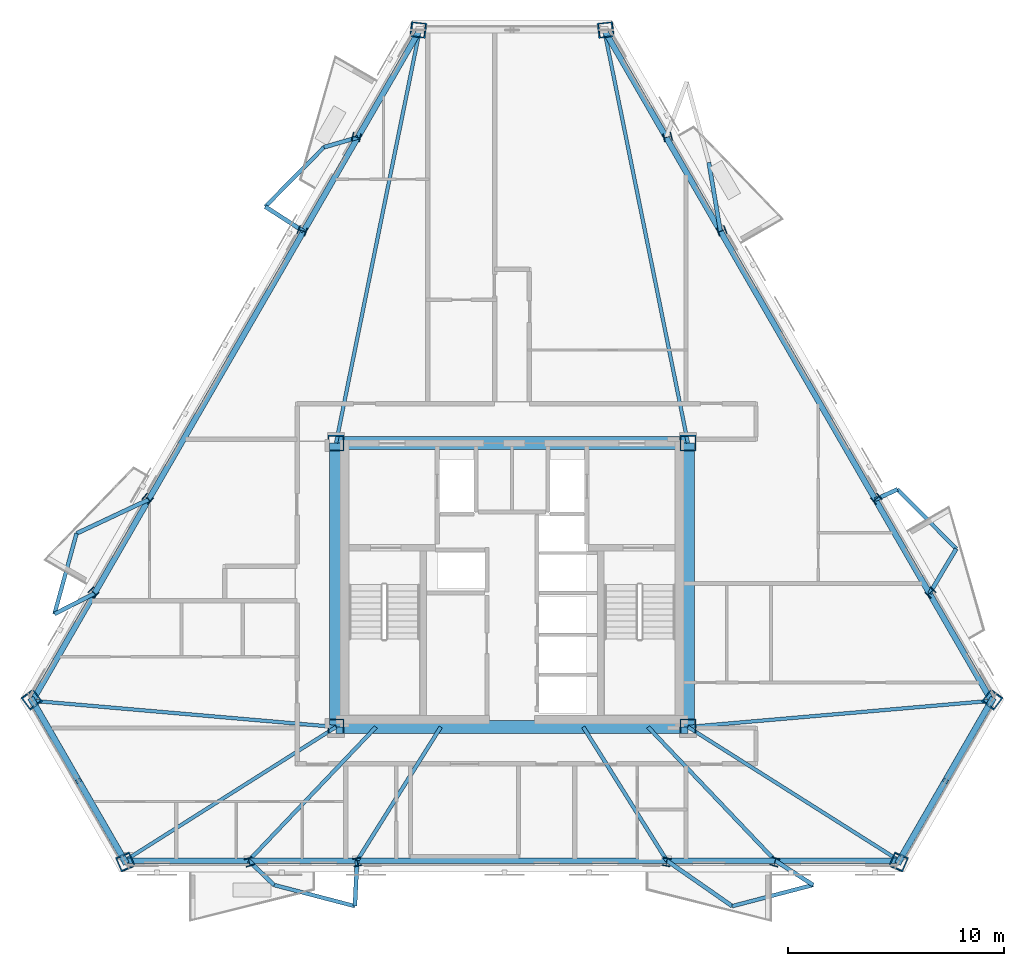
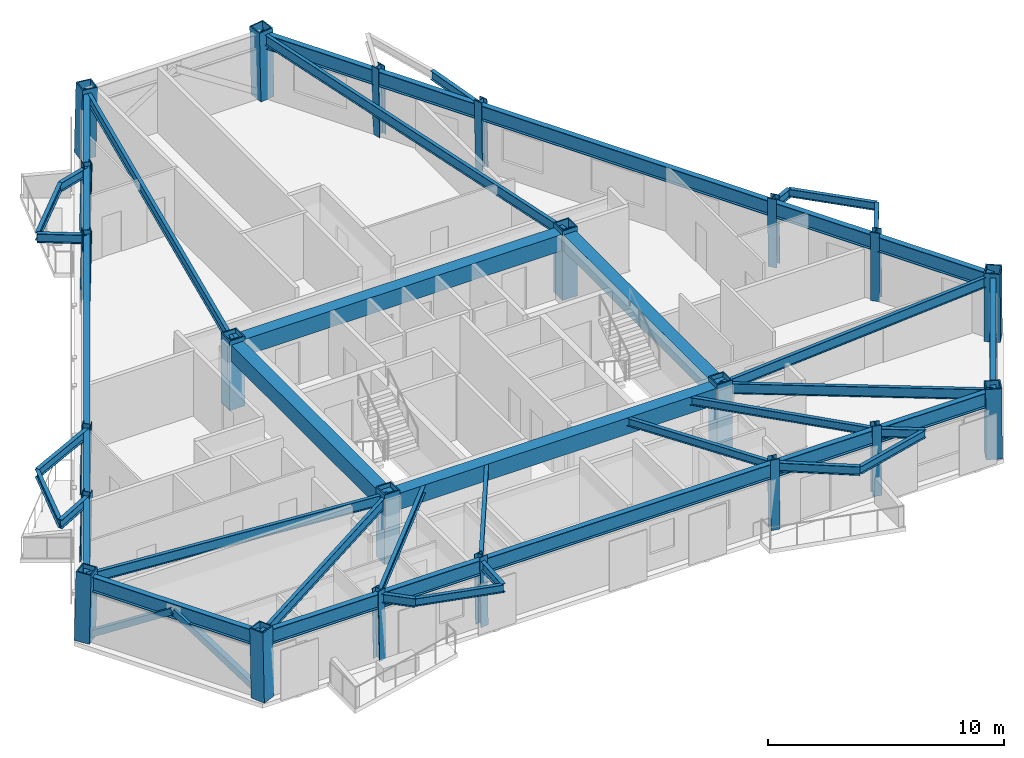
# One storey, part 1 of 9: 47 beams, 22 columns, 4 members.
"""IFC4 building model written with IfcOpenShell, lengths in metres."""

import ifcopenshell
import ifcopenshell.guid

model = None  # the IFC model being written
_history = None  # IfcOwnerHistory: only IFC2X3 demands one
_inside = {}  # id of a spatial element -> (the spatial element, [elements in it])
_under = {}  # id of a project, library or spatial element -> (it, [spatial elements below it])
_declared = {}  # id of a project -> (the project, [libraries it declares])
_typed = {}  # id of a type object -> (the type object, [elements of that type])
_made_of = {}  # id of a material, layer set ... -> (it, [elements and type objects made of it])


def new_model(schema):
    """Start an empty IFC model of exactly this schema.

    Asked for "IFC4X3", IfcOpenShell would pick the latest addendum, in which some entities
    have other attributes; the version numbers below select the first issue.
    IFC2X3 requires an IfcOwnerHistory on every rooted entity: one is made here for all.
    """
    global model, _history
    if schema == "IFC4X3":
        model = ifcopenshell.file(schema_version=(4, 3, 0, 0))
    else:
        model = ifcopenshell.file(schema=schema)
    _inside.clear()
    _under.clear()
    _declared.clear()
    _typed.clear()
    _made_of.clear()
    _history = None
    if model.schema == "IFC2X3":
        org = make("IfcOrganization", Name="unknown")
        user = make(
            "IfcPersonAndOrganization",
            ThePerson=make("IfcPerson", FamilyName="unknown"),
            TheOrganization=org,
        )
        app = make(
            "IfcApplication",
            ApplicationDeveloper=org,
            Version="unknown",
            ApplicationFullName="unknown",
            ApplicationIdentifier="unknown",
        )
        _history = make(
            "IfcOwnerHistory",
            OwningUser=user,
            OwningApplication=app,
            ChangeAction="ADDED",
            CreationDate=0,
        )
    return model


def make(cls, **values):
    """One entity of the class cls with the attributes given. An attribute that is None is left unset."""
    return model.create_entity(
        cls, **{name: value for name, value in values.items() if value is not None}
    )


def rooted(cls, **values):
    """An entity with a GlobalId (a new one), such as an element, a storey or a relation."""
    return make(cls, GlobalId=ifcopenshell.guid.new(), OwnerHistory=_history, **values)


def si_unit(unit_type, name, prefix=None):
    """IfcSIUnit, for example si_unit("LENGTHUNIT", "METRE", prefix="MILLI")."""
    return make("IfcSIUnit", UnitType=unit_type, Prefix=prefix, Name=name)


def assignment(units):
    """IfcUnitAssignment: the units of a project."""
    return None if units is None else make("IfcUnitAssignment", Units=units)


def point(xyz):
    """IfcCartesianPoint."""
    return None if xyz is None else make("IfcCartesianPoint", Coordinates=xyz)


def direction(xyz):
    """IfcDirection."""
    return None if xyz is None else make("IfcDirection", DirectionRatios=xyz)


def frame(location, z_axis=None, x_axis=None):
    """IfcAxis2Placement3D, a coordinate frame: its origin and axes. An axis left out is left unset."""
    return make(
        "IfcAxis2Placement3D",
        Location=point(location),
        Axis=direction(z_axis),
        RefDirection=direction(x_axis),
    )


def frame_2d(location, x_axis=None):
    """IfcAxis2Placement2D, a coordinate frame in the plane: its origin and x axis."""
    return make(
        "IfcAxis2Placement2D", Location=point(location), RefDirection=direction(x_axis)
    )


def origin():
    """The frame at (0, 0, 0) with its axes left unset."""
    return frame((0.0, 0.0, 0.0))


def origin_2d():
    """The frame at (0, 0) in the plane with its x axis left unset."""
    return frame_2d((0.0, 0.0))


def place(relative_to, where):
    """IfcLocalPlacement: puts the frame where relative to a parent placement (None: the world)."""
    return make(
        "IfcLocalPlacement", PlacementRelTo=relative_to, RelativePlacement=where
    )


def context(
    kind, dimensions, precision=None, world=None, true_north=None, identifier=None
):
    """IfcGeometricRepresentationContext, for example the 3D "Model" context."""
    return make(
        "IfcGeometricRepresentationContext",
        ContextIdentifier=identifier,
        ContextType=kind,
        CoordinateSpaceDimension=dimensions,
        Precision=precision,
        WorldCoordinateSystem=world,
        TrueNorth=true_north,
    )


def subcontext(parent, identifier, kind, view, scale=None):
    """IfcGeometricRepresentationSubContext, for example "Body" below "Model"."""
    return make(
        "IfcGeometricRepresentationSubContext",
        ContextIdentifier=identifier,
        ContextType=kind,
        ParentContext=parent,
        TargetScale=scale,
        TargetView=view,
    )


def project(units=None, contexts=None):
    """IfcProject with its units and contexts."""
    return rooted(
        "IfcProject",
        Name="project",
        RepresentationContexts=contexts,
        UnitsInContext=assignment(units),
    )


def spatial(cls, under=None, at=None, **own):
    """A site, building, storey or space (cls), placed at a placement, below another one or the project."""
    s = rooted(cls, ObjectPlacement=at, **own)
    if under is not None:
        _under.setdefault(under.id(), (under, []))[1].append(s)
    return s


def profile(cls, at=None, kind="AREA", **sizes):
    """A parametric profile (cls). Its sizes go by their IFC names, for example OverallWidth=200.0."""
    return make(cls, ProfileType=kind, Position=at, **sizes)


def rectangle(**sizes):
    """IfcRectangleProfileDef."""
    return profile("IfcRectangleProfileDef", **sizes)


def hollow_rectangle(**sizes):
    """IfcRectangleHollowProfileDef."""
    return profile("IfcRectangleHollowProfileDef", **sizes)


def i_section(**sizes):
    """IfcIShapeProfileDef."""
    return profile("IfcIShapeProfileDef", **sizes)


def extrude(swept, where, along, depth):
    """IfcExtrudedAreaSolid: the profile swept, set in the frame where, extruded along a direction by depth."""
    return make(
        "IfcExtrudedAreaSolid",
        SweptArea=swept,
        Position=where,
        ExtrudedDirection=direction(along),
        Depth=depth,
    )


def shape(context_of_items, identifier, shape_type, items):
    """IfcShapeRepresentation: the items that make up one representation, for example the "Body"."""
    return make(
        "IfcShapeRepresentation",
        ContextOfItems=context_of_items,
        RepresentationIdentifier=identifier,
        RepresentationType=shape_type,
        Items=items,
    )


def material(Name=None, Category=None):
    """IfcMaterial."""
    return make("IfcMaterial", Name=Name, Category=Category)


def material_profile(
    of_material, cross_section, Name=None, Category=None, Priority=None
):
    """IfcMaterialProfile: a cross section and its material."""
    return make(
        "IfcMaterialProfile",
        Name=Name,
        Material=of_material,
        Profile=cross_section,
        Priority=Priority,
        Category=Category,
    )


def profile_set(profiles, Name=None, composite=None):
    """IfcMaterialProfileSet."""
    return make(
        "IfcMaterialProfileSet",
        Name=Name,
        MaterialProfiles=profiles,
        CompositeProfile=composite,
    )


def made_of(thing, what):
    """Note that an element or type object is made of a material, layer set ...; save() writes the relation."""
    if what is not None:
        _made_of.setdefault(what.id(), (what, []))[1].append(thing)
    return thing


def type_object(cls, material=None, **own):
    """A type object (cls), such as IfcWallType, which elements share."""
    return made_of(rooted(cls, **own), material)


def element(
    cls,
    number,
    at=None,
    inside=None,
    cuts=None,
    type_object=None,
    material=None,
    context=None,
    identifier="Body",
    shape_type=None,
    held_by="IfcProductDefinitionShape",
    body=None,
    shapes=None,
    **own,
):
    """One element of the class cls, such as IfcWall. Its Tag is "e" and its number.

    at: its placement. inside: the storey or other place that contains it. cuts: it is an
    opening in that element (IfcRelVoidsElement). A single representation is given by context,
    identifier, shape_type and body (its items); several are given by shapes. held_by: the class
    of the entity that holds the representations. save() writes the other relations.
    """
    e = rooted(cls, Tag="e%d" % number, ObjectPlacement=at, **own)
    if body is not None:
        shapes = [shape(context, identifier, shape_type, body)]
    if shapes is not None:
        e.Representation = make(held_by, Representations=shapes)
    if inside is not None:
        _inside.setdefault(inside.id(), (inside, []))[1].append(e)
    if cuts is not None:
        rooted(
            "IfcRelVoidsElement", RelatingBuildingElement=cuts, RelatedOpeningElement=e
        )
    if type_object is not None:
        _typed.setdefault(type_object.id(), (type_object, []))[1].append(e)
    return made_of(e, material)


def aggregate(whole, parts):
    """IfcRelAggregates: a whole, such as a stair, and the parts it consists of."""
    return rooted("IfcRelAggregates", RelatingObject=whole, RelatedObjects=parts)


def save(model, path):
    """Write the relations noted so far, then the file.

    IfcRelAggregates (storeys below a building ...), IfcRelContainedInSpatialStructure (elements
    in a storey), IfcRelDefinesByType, IfcRelAssociatesMaterial and IfcRelDeclares: one each for
    every whole, place, type object, material and project.
    """
    for whole, parts in _under.values():
        aggregate(whole, parts)
    for where, things in _inside.values():
        rooted(
            "IfcRelContainedInSpatialStructure",
            RelatedElements=things,
            RelatingStructure=where,
        )
    for kind, things in _typed.values():
        rooted("IfcRelDefinesByType", RelatedObjects=things, RelatingType=kind)
    for what, things in _made_of.values():
        rooted("IfcRelAssociatesMaterial", RelatedObjects=things, RelatingMaterial=what)
    for by, libraries in _declared.values():
        rooted("IfcRelDeclares", RelatingContext=by, RelatedDefinitions=libraries)
    model.write(path)


model = new_model("IFC4")

# Units and contexts
model_context = context("Model", 3, precision=1e-05, world=origin(), true_north=direction((0.0, 1.0)))
body_context = subcontext(model_context, "Body", "Model", "MODEL_VIEW")
ifc_project = project(units=[si_unit("LENGTHUNIT", "METRE"), si_unit("AREAUNIT", "SQUARE_METRE"), si_unit("VOLUMEUNIT", "CUBIC_METRE"), si_unit("PLANEANGLEUNIT", "RADIAN"), si_unit("MASSUNIT", "GRAM", prefix="KILO")], contexts=[model_context])

# Site, building, storey
site_placement = place(None, origin())
site = spatial("IfcSite", under=ifc_project, at=site_placement, CompositionType="ELEMENT")
building_placement = place(site_placement, origin())
building = spatial("IfcBuilding", under=site, at=building_placement, Name="Oramaril Tower", CompositionType="ELEMENT")
storey_placement = place(building_placement, frame((0.0, 0.0, 167.39990234375)))
storey = spatial("IfcBuildingStorey", under=building, at=storey_placement, Name="L44", CompositionType="ELEMENT", Elevation=167.39990234375)

# Columns
ifc_material_1 = material(Name="Steel ASTM A572 Gr 50", Category="steel")
ifc_material_profile_1 = material_profile(ifc_material_1, hollow_rectangle(XDim=0.75, YDim=0.75, WallThickness=0.06005859375, at=origin_2d()), Name="BOX750X750X60")
ifc_profile_set_1 = profile_set([ifc_material_profile_1], Name="Steel ASTM A572 Gr 50")
column_type_1 = type_object("IfcColumnType", Name="CT-CC4", PredefinedType="COLUMN", material=ifc_profile_set_1)
for number, where, z_axis, x_axis, name in (
    (1, (29.35009765625, 11.0, 0.0), (0.0, 0.0, 1.0), (1.0, 0.0, 0.0), "L44 Core Column CC-1"),
    (2, (45.64990234375, 11.0, 0.0), (0.0, 0.0, 1.0), (1.0, 0.0, 0.0), "L44 Core Column CC-2"),
    (3, (45.64990234375, 24.14990234375, 0.0), (0.0, 0.0, 1.0), (1.0, 0.0, 0.0), "L44 Core Column CC-3"),
    (4, (29.35009765625, 24.14990234375, 0.0), (0.0, 0.0, 1.0), (1.0, 0.0, 0.0), "L44 Core Column CC-4"),
):
    element("IfcColumn", number, at=place(storey_placement, frame(where, z_axis=z_axis, x_axis=x_axis)), inside=storey, type_object=column_type_1, Name=name, PredefinedType="COLUMN", context=body_context, shape_type="SweptSolid", body=[
        extrude(hollow_rectangle(XDim=0.75, YDim=0.75, WallThickness=0.06005859375, at=origin_2d()), origin(), (0.0, 0.0, 1.0), 3.60009765625),
    ])
ifc_material_2 = material(Name="Steel ASTM A572 Gr 50", Category="steel")
ifc_material_profile_2 = material_profile(ifc_material_2, hollow_rectangle(XDim=0.699951171875, YDim=0.699951171875, WallThickness=0.054931640625, at=origin_2d()), Name="BOX700X700X55")
ifc_profile_set_2 = profile_set([ifc_material_profile_2], Name="Steel ASTM A572 Gr 50")
column_type_2 = type_object("IfcColumnType", Name="CT-TC4", PredefinedType="COLUMN", material=ifc_profile_set_2)
for number, where, z_axis, x_axis, name in (
    (5, (15.244384765625, 12.27880859375, 0.004638671875), (0.01338978712, -0.018011642572, 0.999748115443), (0.802536699465, 0.596602753942, 0.0), "L44 Tube Column TC-01"),
    (6, (19.5986328125, 4.736572265625, 0.004638671875), (-0.008835906763, 0.020594459609, 0.999748865958), (-0.918988079683, -0.394285314716, 0.0), "L44 Tube Column TC-02"),
    (7, (55.4013671875, 4.736572265625, 0.004638671875), (0.008835906763, 0.020594459609, 0.999748865958), (-0.918988079683, 0.394285314716, 0.0), "L44 Tube Column TC-03"),
    (8, (59.755615234375, 12.27880859375, 0.004638671875), (-0.01338978712, -0.018011642572, 0.999748115443), (0.802536699465, -0.596602753942, 0.0), "L44 Tube Column TC-04"),
    (9, (41.8544921875, 43.28466796875, 0.004638671875), (-0.022293656021, -0.002582801612, 0.999748129299), (0.115083900766, -0.99335577503, 0.0), "L44 Tube Column TC-05"),
    (10, (33.1455078125, 43.28466796875, 0.004638671875), (0.022293656021, -0.002582801612, 0.999748129299), (0.115083900766, 0.99335577503, 0.0), "L44 Tube Column TC-06"),
):
    element("IfcColumn", number, at=place(storey_placement, frame(where, z_axis=z_axis, x_axis=x_axis)), inside=storey, type_object=column_type_2, Name=name, PredefinedType="COLUMN", context=body_context, shape_type="SweptSolid", body=[
        extrude(hollow_rectangle(XDim=0.699951171875, YDim=0.699951171875, WallThickness=0.054931640625, at=origin_2d()), origin(), (0.0, 0.0, 1.0), 3.592041015625),
    ])
ifc_material_3 = material(Name="Steel ASTM A572 Gr 50", Category="steel")
ifc_material_profile_3 = material_profile(ifc_material_3, i_section(OverallWidth=0.39892578125, OverallDepth=0.385986328125, WebThickness=0.02099609375, FlangeThickness=0.033203125, at=origin_2d()), Name="W14X176")
ifc_profile_set_3 = profile_set([ifc_material_profile_3], Name="Steel ASTM A572 Gr 50")
column_type_3 = type_object("IfcColumnType", Name="CT-TF4", PredefinedType="COLUMN", material=ifc_profile_set_3)
for number, where, z_axis, x_axis, name in (
    (11, (25.3271484375, 4.736572265625, 0.004638671875), (-0.006049323173, 0.020594886756, 0.999769601623), (-0.959466286013, -0.281823430545, 0.0), "L44 Tube Column TC-07"),
    (12, (30.339599609375, 4.736572265625, 0.004638671875), (-0.003602448474, 0.020595129955, 0.999781407602), (-0.985044264362, -0.172301471984, 0.0), "L44 Tube Column TC-08"),
    (13, (44.660400390625, 4.736572265625, 0.004638671875), (0.003602448474, 0.020595129955, 0.999781407602), (-0.985044264362, 0.172301471984, 0.0), "L44 Tube Column TC-09"),
    (14, (49.6728515625, 4.736572265625, 0.004638671875), (0.006049323173, 0.020594886756, 0.999769601623), (-0.959466286013, 0.281823430545, 0.0), "L44 Tube Column TC-10"),
    (15, (56.8916015625, 17.23974609375, 0.004638671875), (-0.014817435233, -0.015565103983, 0.999769058909), (0.724288345732, -0.689497202487, 0.0), "L44 Tube Column TC-11"),
    (16, (54.38525390625, 21.58056640625, 0.004638671875), (-0.016041095505, -0.013390236502, 0.999781668576), (0.640824095109, -0.767687748455, 0.0), "L44 Tube Column TC-12"),
    (17, (47.224853515625, 33.98291015625, 0.004638671875), (-0.019643523819, -0.00727286176, 0.999780594658), (0.34720866797, -0.937787897601, 0.0), "L44 Tube Column TC-13"),
    (18, (44.718505859375, 38.32373046875, 0.004638671875), (-0.020798819059, -0.005097749769, 0.999770684744), (0.238052057965, -0.971252396496, 0.0), "L44 Tube Column TC-14"),
    (19, (30.281494140625, 38.32373046875, 0.004638671875), (0.020798819059, -0.005097749769, 0.999770684744), (0.238052057965, 0.971252396496, 0.0), "L44 Tube Column TC-15"),
    (20, (27.775146484375, 33.98291015625, 0.004638671875), (0.019643523819, -0.00727286176, 0.999780594658), (0.34720866797, 0.937787897601, 0.0), "L44 Tube Column TC-16"),
    (21, (20.61474609375, 21.58056640625, 0.004638671875), (0.016041095505, -0.013390236502, 0.999781668576), (0.640824095109, 0.767687748455, 0.0), "L44 Tube Column TC-17"),
    (22, (18.1083984375, 17.23974609375, 0.004638671875), (0.014817435233, -0.015565103983, 0.999769058909), (0.724288345732, 0.689497202487, 0.0), "L44 Tube Column TC-18"),
):
    element("IfcColumn", number, at=place(storey_placement, frame(where, z_axis=z_axis, x_axis=x_axis)), inside=storey, type_object=column_type_3, Name=name, PredefinedType="COLUMN", context=body_context, shape_type="SweptSolid", body=[
        extrude(i_section(OverallWidth=0.39892578125, OverallDepth=0.385986328125, WebThickness=0.02099609375, FlangeThickness=0.033203125, at=origin_2d()), origin(), (0.0, 0.0, 1.0), 3.591796875),
    ])

# Beams
ifc_material_4 = material(Name="Steel ASTM A572 Gr 50", Category="steel")
ifc_material_profile_4 = material_profile(ifc_material_4, i_section(OverallWidth=0.19091796875, OverallDepth=0.45703125, WebThickness=0.009033203125, FlangeThickness=0.014404296875, at=origin_2d()), Name="W18X50")
ifc_profile_set_4 = profile_set([ifc_material_profile_4], Name="Steel ASTM A572 Gr 50")
beam_type_1 = type_object("IfcBeamType", Name="BT-BB1", PredefinedType="BEAM", material=ifc_profile_set_4)
beam_1_placement = place(storey_placement, frame((25.305419921875, 4.810546875, 3.151611328125), z_axis=(0.721063573257, -0.692868907747, 0.0), x_axis=(0.692868907747, 0.721063573257, 0.0)))
element("IfcBeam", 23, at=beam_1_placement, inside=storey, type_object=beam_type_1, Name="L44 Balcony Column-Framed Cantilever 01.1", PredefinedType="BEAM", context=body_context, shape_type="SweptSolid", body=[
    extrude(i_section(OverallWidth=0.19091796875, OverallDepth=0.45703125, WebThickness=0.009033203125, FlangeThickness=0.014404296875, at=origin_2d()), origin(), (0.0, 0.0, 1.0), 1.6279296875),
])
beam_2_placement = place(storey_placement, frame((30.32666015625, 4.810546875, 3.151611328125), z_axis=(-0.049049068903, -0.998796370057, 0.0), x_axis=(0.998796370057, -0.049049068903, 0.0)))
element("IfcBeam", 24, at=beam_2_placement, inside=storey, type_object=beam_type_1, Name="L44 Balcony Column-Framed Cantilever 01.2", PredefinedType="BEAM", context=body_context, shape_type="SweptSolid", body=[
    extrude(i_section(OverallWidth=0.19091796875, OverallDepth=0.45703125, WebThickness=0.009033203125, FlangeThickness=0.014404296875, at=origin_2d()), origin(), (0.0, 0.0, 1.0), 2.1103515625),
])
beam_3_placement = place(storey_placement, frame((44.67333984375, 4.810546875, 3.151611328125), z_axis=(0.820767623742, -0.571262205836, 0.0), x_axis=(0.571262205836, 0.820767623742, 0.0)))
element("IfcBeam", 25, at=beam_3_placement, inside=storey, type_object=beam_type_1, Name="L44 Balcony Column-Framed Cantilever 02.1", PredefinedType="BEAM", context=body_context, shape_type="SweptSolid", body=[
    extrude(i_section(OverallWidth=0.19091796875, OverallDepth=0.45703125, WebThickness=0.009033203125, FlangeThickness=0.014404296875, at=origin_2d()), origin(), (0.0, 0.0, 1.0), 3.68994140625),
])
beam_4_placement = place(storey_placement, frame((49.694580078125, 4.810546875, 3.151611328125), z_axis=(0.840709763889, -0.541486004345, 0.0), x_axis=(0.541486004345, 0.840709763889, 0.0)))
element("IfcBeam", 26, at=beam_4_placement, inside=storey, type_object=beam_type_1, Name="L44 Balcony Column-Framed Cantilever 02.2", PredefinedType="BEAM", context=body_context, shape_type="SweptSolid", body=[
    extrude(i_section(OverallWidth=0.19091796875, OverallDepth=0.45703125, WebThickness=0.009033203125, FlangeThickness=0.014404296875, at=origin_2d()), origin(), (0.0, 0.0, 1.0), 2.0830078125),
])
beam_5_placement = place(storey_placement, frame((56.83837890625, 17.183837890625, 3.151611328125), z_axis=(0.513334580442, 0.858188562335, 0.0), x_axis=(-0.858188562335, 0.513334580442, 0.0)))
element("IfcBeam", 27, at=beam_5_placement, inside=storey, type_object=beam_type_1, Name="L44 Balcony Column-Framed Cantilever 03.1", PredefinedType="BEAM", context=body_context, shape_type="SweptSolid", body=[
    extrude(i_section(OverallWidth=0.19091796875, OverallDepth=0.45703125, WebThickness=0.009033203125, FlangeThickness=0.014404296875, at=origin_2d()), origin(), (0.0, 0.0, 1.0), 2.41259765625),
])
beam_6_placement = place(storey_placement, frame((54.32763671875, 21.532470703125, 3.151611328125), z_axis=(0.908079209841, 0.418798458277, 0.0), x_axis=(-0.418798458277, 0.908079209841, 0.0)))
element("IfcBeam", 28, at=beam_6_placement, inside=storey, type_object=beam_type_1, Name="L44 Balcony Column-Framed Cantilever 03.2", PredefinedType="BEAM", context=body_context, shape_type="SweptSolid", body=[
    extrude(i_section(OverallWidth=0.19091796875, OverallDepth=0.45703125, WebThickness=0.009033203125, FlangeThickness=0.014404296875, at=origin_2d()), origin(), (0.0, 0.0, 1.0), 1.132568359375),
])
beam_7_placement = place(storey_placement, frame((47.154296875, 33.956787109375, 3.151611328125), z_axis=(-0.166260620648, 0.986081845498, 0.0), x_axis=(-0.986081845498, -0.166260620648, 0.0)))
element("IfcBeam", 29, at=beam_7_placement, inside=storey, type_object=beam_type_1, Name="L44 Balcony Column-Framed Cantilever 04.1", PredefinedType="BEAM", context=body_context, shape_type="SweptSolid", body=[
    extrude(i_section(OverallWidth=0.19091796875, OverallDepth=0.45703125, WebThickness=0.009033203125, FlangeThickness=0.014404296875, at=origin_2d()), origin(), (0.0, 0.0, 1.0), 3.23193359375),
])
beam_8_placement = place(storey_placement, frame((30.356201171875, 38.305419921875, 3.151611328125), z_axis=(-0.960607473235, -0.277908766261, 0.0), x_axis=(0.277908766261, -0.960607473235, 0.0)))
element("IfcBeam", 30, at=beam_8_placement, inside=storey, type_object=beam_type_1, Name="L44 Balcony Column-Framed Cantilever 05.1", PredefinedType="BEAM", context=body_context, shape_type="SweptSolid", body=[
    extrude(i_section(OverallWidth=0.19091796875, OverallDepth=0.45703125, WebThickness=0.009033203125, FlangeThickness=0.014404296875, at=origin_2d()), origin(), (0.0, 0.0, 1.0), 1.6279296875),
])
beam_9_placement = place(storey_placement, frame((27.845703125, 33.956787109375, 3.151611328125), z_axis=(-0.840441096704, 0.541902909174, 0.0), x_axis=(-0.541902909174, -0.840441096704, 0.0)))
element("IfcBeam", 31, at=beam_9_placement, inside=storey, type_object=beam_type_1, Name="L44 Balcony Column-Framed Cantilever 05.2", PredefinedType="BEAM", context=body_context, shape_type="SweptSolid", body=[
    extrude(i_section(OverallWidth=0.19091796875, OverallDepth=0.45703125, WebThickness=0.009033203125, FlangeThickness=0.014404296875, at=origin_2d()), origin(), (0.0, 0.0, 1.0), 2.110595703125),
])
beam_10_placement = place(storey_placement, frame((20.67236328125, 21.532470703125, 3.151611328125), z_axis=(-0.905115374129, -0.425166037584, 0.0), x_axis=(0.425166037584, -0.905115374129, 0.0)))
element("IfcBeam", 32, at=beam_10_placement, inside=storey, type_object=beam_type_1, Name="L44 Balcony Column-Framed Cantilever 06.1", PredefinedType="BEAM", context=body_context, shape_type="SweptSolid", body=[
    extrude(i_section(OverallWidth=0.19091796875, OverallDepth=0.45703125, WebThickness=0.009033203125, FlangeThickness=0.014404296875, at=origin_2d()), origin(), (0.0, 0.0, 1.0), 3.68994140625),
])
beam_11_placement = place(storey_placement, frame((18.16162109375, 17.183837890625, 3.151611328125), z_axis=(-0.889306868154, -0.457310938263, 0.0), x_axis=(0.457310938263, -0.889306868154, 0.0)))
element("IfcBeam", 33, at=beam_11_placement, inside=storey, type_object=beam_type_1, Name="L44 Balcony Column-Framed Cantilever 06.2", PredefinedType="BEAM", context=body_context, shape_type="SweptSolid", body=[
    extrude(i_section(OverallWidth=0.19091796875, OverallDepth=0.45703125, WebThickness=0.009033203125, FlangeThickness=0.014404296875, at=origin_2d()), origin(), (0.0, 0.0, 1.0), 2.0830078125),
])
ifc_material_5 = material(Name="Concrete C50/60", Category="concrete")
ifc_material_profile_5 = material_profile(ifc_material_5, rectangle(XDim=0.60009765625, YDim=0.85009765625, at=origin_2d()), Name="CB600X850")
ifc_profile_set_5 = profile_set([ifc_material_profile_5], Name="Concrete C50/60")
beam_type_2 = type_object("IfcBeamType", Name="BT-CB2", PredefinedType="BEAM", material=ifc_profile_set_5)
beam_12_placement = place(storey_placement, frame((29.35009765625, 11.0, 2.955078125), z_axis=(1.0, 0.0, 0.0), x_axis=(0.0, 1.0, 0.0)))
element("IfcBeam", 34, at=beam_12_placement, inside=storey, type_object=beam_type_2, Name="L44 Core Header Beam CB-1", PredefinedType="BEAM", context=body_context, shape_type="SweptSolid", body=[
    extrude(rectangle(XDim=0.60009765625, YDim=0.85009765625, at=origin_2d()), origin(), (0.0, 0.0, 1.0), 16.2998046875),
])
beam_13_placement = place(storey_placement, frame((45.64990234375, 11.0, 2.955078125), z_axis=(0.0, 1.0, 0.0), x_axis=(-1.0, 0.0, 0.0)))
element("IfcBeam", 35, at=beam_13_placement, inside=storey, type_object=beam_type_2, Name="L44 Core Header Beam CB-2", PredefinedType="BEAM", context=body_context, shape_type="SweptSolid", body=[
    extrude(rectangle(XDim=0.60009765625, YDim=0.85009765625, at=origin_2d()), origin(), (0.0, 0.0, 1.0), 13.14990234375),
])
beam_14_placement = place(storey_placement, frame((45.64990234375, 24.14990234375, 2.955078125), z_axis=(-1.0, 0.0, 0.0), x_axis=(0.0, -1.0, 0.0)))
element("IfcBeam", 36, at=beam_14_placement, inside=storey, type_object=beam_type_2, Name="L44 Core Header Beam CB-3", PredefinedType="BEAM", context=body_context, shape_type="SweptSolid", body=[
    extrude(rectangle(XDim=0.60009765625, YDim=0.85009765625, at=origin_2d()), origin(), (0.0, 0.0, 1.0), 16.2998046875),
])
beam_15_placement = place(storey_placement, frame((29.35009765625, 24.14990234375, 2.955078125), z_axis=(0.0, -1.0, 0.0), x_axis=(1.0, 0.0, 0.0)))
element("IfcBeam", 37, at=beam_15_placement, inside=storey, type_object=beam_type_2, Name="L44 Core Header Beam CB-4", PredefinedType="BEAM", context=body_context, shape_type="SweptSolid", body=[
    extrude(rectangle(XDim=0.60009765625, YDim=0.85009765625, at=origin_2d()), origin(), (0.0, 0.0, 1.0), 13.14990234375),
])
ifc_material_6 = material(Name="Steel ASTM A572 Gr 50", Category="steel")
ifc_material_profile_6 = material_profile(ifc_material_6, i_section(OverallWidth=0.166015625, OverallDepth=0.528076171875, WebThickness=0.009765625, FlangeThickness=0.013671875, at=origin_2d()), Name="W21X50")
ifc_profile_set_6 = profile_set([ifc_material_profile_6], Name="Steel ASTM A572 Gr 50")
beam_type_3 = type_object("IfcBeamType", Name="BT-FB3", PredefinedType="BEAM", material=ifc_profile_set_6)
beam_16_placement = place(storey_placement, frame((29.35009765625, 11.0, 3.1162109375), z_axis=(-0.996291124592, 0.086046470347, 0.0), x_axis=(-0.086046470347, -0.996291124592, 0.0)))
element("IfcBeam", 38, at=beam_16_placement, inside=storey, type_object=beam_type_3, Name="L44 Radial Primary Beam RB-01", PredefinedType="BEAM", context=body_context, shape_type="SweptSolid", body=[
    extrude(i_section(OverallWidth=0.166015625, OverallDepth=0.528076171875, WebThickness=0.009765625, FlangeThickness=0.013671875, at=origin_2d()), origin(), (0.0, 0.0, 1.0), 14.10986328125),
])
for number, where, z_axis, x_axis, name in (
    (39, (29.35009765625, 11.0, 3.1162109375), (-0.845075724762, -0.534646630419, 0.0), (0.534646630419, -0.845075724762, 0.0), "L44 Radial Primary Beam RB-02"),
    (40, (45.64990234375, 11.0, 3.1162109375), (0.845075724762, -0.534646630419, 0.0), (0.534646630419, 0.845075724762, 0.0), "L44 Radial Primary Beam RB-03"),
):
    element("IfcBeam", number, at=place(storey_placement, frame(where, z_axis=z_axis, x_axis=x_axis)), inside=storey, type_object=beam_type_3, Name=name, PredefinedType="BEAM", context=body_context, shape_type="SweptSolid", body=[
        extrude(i_section(OverallWidth=0.166015625, OverallDepth=0.528076171875, WebThickness=0.009765625, FlangeThickness=0.013671875, at=origin_2d()), origin(), (0.0, 0.0, 1.0), 11.57666015625),
    ])
beam_17_placement = place(storey_placement, frame((45.64990234375, 11.0, 3.1162109375), z_axis=(0.996291124592, 0.086046470347, 0.0), x_axis=(-0.086046470347, 0.996291124592, 0.0)))
element("IfcBeam", 41, at=beam_17_placement, inside=storey, type_object=beam_type_3, Name="L44 Radial Primary Beam RB-04", PredefinedType="BEAM", context=body_context, shape_type="SweptSolid", body=[
    extrude(i_section(OverallWidth=0.166015625, OverallDepth=0.528076171875, WebThickness=0.009765625, FlangeThickness=0.013671875, at=origin_2d()), origin(), (0.0, 0.0, 1.0), 14.10986328125),
])
for number, where, z_axis, x_axis, name in (
    (42, (45.64990234375, 24.14990234375, 3.1162109375), (-0.198598444112, 0.980080944615, 0.0), (-0.980080944615, -0.198598444112, 0.0), "L44 Radial Primary Beam RB-05"),
    (43, (29.35009765625, 24.14990234375, 3.1162109375), (0.198598444112, 0.980080944615, 0.0), (-0.980080944615, 0.198598444112, 0.0), "L44 Radial Primary Beam RB-06"),
):
    element("IfcBeam", number, at=place(storey_placement, frame(where, z_axis=z_axis, x_axis=x_axis)), inside=storey, type_object=beam_type_3, Name=name, PredefinedType="BEAM", context=body_context, shape_type="SweptSolid", body=[
        extrude(i_section(OverallWidth=0.166015625, OverallDepth=0.528076171875, WebThickness=0.009765625, FlangeThickness=0.013671875, at=origin_2d()), origin(), (0.0, 0.0, 1.0), 19.51416015625),
    ])
ifc_material_7 = material(Name="Steel ASTM A572 Gr 50", Category="steel")
ifc_material_profile_7 = material_profile(ifc_material_7, i_section(OverallWidth=0.177978515625, OverallDepth=0.404052734375, WebThickness=0.007568359375, FlangeThickness=0.010986328125, at=origin_2d()), Name="W16X36")
ifc_profile_set_7 = profile_set([ifc_material_profile_7], Name="Steel ASTM A572 Gr 50")
beam_type_4 = type_object("IfcBeamType", Name="BT-SB1", PredefinedType="BEAM", material=ifc_profile_set_7)
beam_18_placement = place(storey_placement, frame((31.199951171875, 11.0, 3.177978515625), z_axis=(-0.689643760404, -0.724148799444, 0.0), x_axis=(0.724148799444, -0.689643760404, 0.0)))
element("IfcBeam", 44, at=beam_18_placement, inside=storey, type_object=beam_type_4, Name="L44 Secondary Floor Beam SB-01", PredefinedType="BEAM", context=body_context, shape_type="SweptSolid", body=[
    extrude(i_section(OverallWidth=0.177978515625, OverallDepth=0.404052734375, WebThickness=0.007568359375, FlangeThickness=0.010986328125, at=origin_2d()), origin(), (0.0, 0.0, 1.0), 8.547119140625),
])
for number, where, z_axis, x_axis, name in (
    (45, (34.199951171875, 11.0, 3.177978515625), (-0.530479748047, -0.847697609359, 0.0), (0.847697609359, -0.530479748047, 0.0), "L44 Secondary Floor Beam SB-02"),
    (46, (40.800048828125, 11.0, 3.177978515625), (0.530479748047, -0.847697609359, 0.0), (0.847697609359, 0.530479748047, 0.0), "L44 Secondary Floor Beam SB-03"),
):
    element("IfcBeam", number, at=place(storey_placement, frame(where, z_axis=z_axis, x_axis=x_axis)), inside=storey, type_object=beam_type_4, Name=name, PredefinedType="BEAM", context=body_context, shape_type="SweptSolid", body=[
        extrude(i_section(OverallWidth=0.177978515625, OverallDepth=0.404052734375, WebThickness=0.007568359375, FlangeThickness=0.010986328125, at=origin_2d()), origin(), (0.0, 0.0, 1.0), 7.301513671875),
    ])
beam_19_placement = place(storey_placement, frame((43.800048828125, 11.0, 3.177978515625), z_axis=(0.689643760404, -0.724148799444, 0.0), x_axis=(0.724148799444, 0.689643760404, 0.0)))
element("IfcBeam", 47, at=beam_19_placement, inside=storey, type_object=beam_type_4, Name="L44 Secondary Floor Beam SB-04", PredefinedType="BEAM", context=body_context, shape_type="SweptSolid", body=[
    extrude(i_section(OverallWidth=0.177978515625, OverallDepth=0.404052734375, WebThickness=0.007568359375, FlangeThickness=0.010986328125, at=origin_2d()), origin(), (0.0, 0.0, 1.0), 8.547119140625),
])
for number, where, z_axis, x_axis, name in (
    (48, (26.479248046875, 3.6826171875, 3.177978515625), (0.967407922874, -0.253223045479, 0.0), (0.253223045479, 0.967407922874, 0.0), "L44 Balcony Edge Tie Beam 01"),
    (49, (47.701904296875, 2.70263671875, 3.177978515625), (0.967407922874, 0.253223045479, 0.0), (-0.253223045479, 0.967407922874, 0.0), "L44 Balcony Edge Tie Beam 02"),
    (50, (58.076904296875, 19.25439453125, 3.177978515625), (-0.702994511648, 0.71119527318, 0.0), (-0.71119527318, -0.702994511648, 0.0), "L44 Balcony Edge Tie Beam 03"),
    (51, (28.79248046875, 37.85302734375, 3.177978515625), (-0.702994511648, -0.71119527318, 0.0), (0.71119527318, -0.702994511648, 0.0), "L44 Balcony Edge Tie Beam 05"),
    (52, (17.33251953125, 19.963623046875, 3.177978515625), (-0.264440915482, -0.964401888332, 0.0), (0.964401888332, -0.264440915482, 0.0), "L44 Balcony Edge Tie Beam 06"),
):
    element("IfcBeam", number, at=place(storey_placement, frame(where, z_axis=z_axis, x_axis=x_axis)), inside=storey, type_object=beam_type_4, Name=name, PredefinedType="BEAM", context=body_context, shape_type="SweptSolid", body=[
        extrude(i_section(OverallWidth=0.177978515625, OverallDepth=0.404052734375, WebThickness=0.007568359375, FlangeThickness=0.010986328125, at=origin_2d()), origin(), (0.0, 0.0, 1.0), 3.8701171875),
    ])
ifc_material_8 = material(Name="Steel ASTM A572 Gr 50", Category="steel")
ifc_material_profile_8 = material_profile(ifc_material_8, i_section(OverallWidth=0.26708984375, OverallDepth=0.77001953125, WebThickness=0.015625, FlangeThickness=0.025390625, at=origin_2d()), Name="W30X132")
ifc_profile_set_8 = profile_set([ifc_material_profile_8], Name="Steel ASTM A572 Gr 50")
beam_type_5 = type_object("IfcBeamType", Name="BT-SP3", PredefinedType="SPANDREL", material=ifc_profile_set_8)
beam_20_placement = place(storey_placement, frame((15.29248046875, 12.214111328125, 2.9951171875), z_axis=(0.499996853316, -0.866027220516, 0.0), x_axis=(0.866027220516, 0.499996853316, 0.0)))
element("IfcBeam", 53, at=beam_20_placement, inside=storey, type_object=beam_type_5, Name="L44 Perimeter Spandrel 01", PredefinedType="SPANDREL", context=body_context, shape_type="SweptSolid", body=[
    extrude(i_section(OverallWidth=0.26708984375, OverallDepth=0.77001953125, WebThickness=0.015625, FlangeThickness=0.025390625, at=origin_2d()), origin(), (0.0, 0.0, 1.0), 8.548828125),
])
beam_21_placement = place(storey_placement, frame((19.56689453125, 4.810546875, 2.9951171875), z_axis=(1.0, 0.0, 0.0), x_axis=(0.0, 1.0, 0.0)))
element("IfcBeam", 54, at=beam_21_placement, inside=storey, type_object=beam_type_5, Name="L44 Perimeter Spandrel 02", PredefinedType="SPANDREL", context=body_context, shape_type="SweptSolid", body=[
    extrude(i_section(OverallWidth=0.26708984375, OverallDepth=0.77001953125, WebThickness=0.015625, FlangeThickness=0.025390625, at=origin_2d()), origin(), (0.0, 0.0, 1.0), 5.738525390625),
])
beam_22_placement = place(storey_placement, frame((25.305419921875, 4.810546875, 2.9951171875), z_axis=(1.0, 0.0, 0.0), x_axis=(0.0, 1.0, 0.0)))
element("IfcBeam", 55, at=beam_22_placement, inside=storey, type_object=beam_type_5, Name="L44 Perimeter Spandrel 03", PredefinedType="SPANDREL", context=body_context, shape_type="SweptSolid", body=[
    extrude(i_section(OverallWidth=0.26708984375, OverallDepth=0.77001953125, WebThickness=0.015625, FlangeThickness=0.025390625, at=origin_2d()), origin(), (0.0, 0.0, 1.0), 5.021240234375),
])
beam_23_placement = place(storey_placement, frame((30.32666015625, 4.810546875, 2.9951171875), z_axis=(1.0, 0.0, 0.0), x_axis=(0.0, 1.0, 0.0)))
element("IfcBeam", 56, at=beam_23_placement, inside=storey, type_object=beam_type_5, Name="L44 Perimeter Spandrel 04", PredefinedType="SPANDREL", context=body_context, shape_type="SweptSolid", body=[
    extrude(i_section(OverallWidth=0.26708984375, OverallDepth=0.77001953125, WebThickness=0.015625, FlangeThickness=0.025390625, at=origin_2d()), origin(), (0.0, 0.0, 1.0), 14.3466796875),
])
beam_24_placement = place(storey_placement, frame((44.67333984375, 4.810546875, 2.9951171875), z_axis=(1.0, 0.0, 0.0), x_axis=(0.0, 1.0, 0.0)))
element("IfcBeam", 57, at=beam_24_placement, inside=storey, type_object=beam_type_5, Name="L44 Perimeter Spandrel 05", PredefinedType="SPANDREL", context=body_context, shape_type="SweptSolid", body=[
    extrude(i_section(OverallWidth=0.26708984375, OverallDepth=0.77001953125, WebThickness=0.015625, FlangeThickness=0.025390625, at=origin_2d()), origin(), (0.0, 0.0, 1.0), 5.021240234375),
])
beam_25_placement = place(storey_placement, frame((49.694580078125, 4.810546875, 2.9951171875), z_axis=(1.0, 0.0, 0.0), x_axis=(0.0, 1.0, 0.0)))
element("IfcBeam", 58, at=beam_25_placement, inside=storey, type_object=beam_type_5, Name="L44 Perimeter Spandrel 06", PredefinedType="SPANDREL", context=body_context, shape_type="SweptSolid", body=[
    extrude(i_section(OverallWidth=0.26708984375, OverallDepth=0.77001953125, WebThickness=0.015625, FlangeThickness=0.025390625, at=origin_2d()), origin(), (0.0, 0.0, 1.0), 5.738525390625),
])
beam_26_placement = place(storey_placement, frame((55.43310546875, 4.810546875, 2.9951171875), z_axis=(0.499996853316, 0.866027220516, 0.0), x_axis=(-0.866027220516, 0.499996853316, 0.0)))
element("IfcBeam", 59, at=beam_26_placement, inside=storey, type_object=beam_type_5, Name="L44 Perimeter Spandrel 07", PredefinedType="SPANDREL", context=body_context, shape_type="SweptSolid", body=[
    extrude(i_section(OverallWidth=0.26708984375, OverallDepth=0.77001953125, WebThickness=0.015625, FlangeThickness=0.025390625, at=origin_2d()), origin(), (0.0, 0.0, 1.0), 8.548828125),
])
beam_27_placement = place(storey_placement, frame((59.70751953125, 12.214111328125, 2.9951171875), z_axis=(-0.499982703029, 0.866035389965, 0.0), x_axis=(-0.866035389965, -0.499982703029, 0.0)))
element("IfcBeam", 60, at=beam_27_placement, inside=storey, type_object=beam_type_5, Name="L44 Perimeter Spandrel 08", PredefinedType="SPANDREL", context=body_context, shape_type="SweptSolid", body=[
    extrude(i_section(OverallWidth=0.26708984375, OverallDepth=0.77001953125, WebThickness=0.015625, FlangeThickness=0.025390625, at=origin_2d()), origin(), (0.0, 0.0, 1.0), 5.738525390625),
])
beam_28_placement = place(storey_placement, frame((56.83837890625, 17.183837890625, 2.9951171875), z_axis=(-0.500008642379, 0.866020414047, 0.0), x_axis=(-0.866020414047, -0.500008642379, 0.0)))
element("IfcBeam", 61, at=beam_28_placement, inside=storey, type_object=beam_type_5, Name="L44 Perimeter Spandrel 09", PredefinedType="SPANDREL", context=body_context, shape_type="SweptSolid", body=[
    extrude(i_section(OverallWidth=0.26708984375, OverallDepth=0.77001953125, WebThickness=0.015625, FlangeThickness=0.025390625, at=origin_2d()), origin(), (0.0, 0.0, 1.0), 5.021484375),
])
beam_29_placement = place(storey_placement, frame((54.32763671875, 21.532470703125, 2.9951171875), z_axis=(-0.500008229653, 0.86602065234, 0.0), x_axis=(-0.86602065234, -0.500008229653, 0.0)))
element("IfcBeam", 62, at=beam_29_placement, inside=storey, type_object=beam_type_5, Name="L44 Perimeter Spandrel 10", PredefinedType="SPANDREL", context=body_context, shape_type="SweptSolid", body=[
    extrude(i_section(OverallWidth=0.26708984375, OverallDepth=0.77001953125, WebThickness=0.015625, FlangeThickness=0.025390625, at=origin_2d()), origin(), (0.0, 0.0, 1.0), 14.346435546875),
])
beam_30_placement = place(storey_placement, frame((47.154296875, 33.956787109375, 2.9951171875), z_axis=(-0.499972176429, 0.866041467135, 0.0), x_axis=(-0.866041467135, -0.499972176429, 0.0)))
element("IfcBeam", 63, at=beam_30_placement, inside=storey, type_object=beam_type_5, Name="L44 Perimeter Spandrel 11", PredefinedType="SPANDREL", context=body_context, shape_type="SweptSolid", body=[
    extrude(i_section(OverallWidth=0.26708984375, OverallDepth=0.77001953125, WebThickness=0.015625, FlangeThickness=0.025390625, at=origin_2d()), origin(), (0.0, 0.0, 1.0), 5.021240234375),
])
for number, where, z_axis, x_axis, name in (
    (64, (44.643798828125, 38.305419921875, 2.9951171875), (-0.499996189405, 0.866027603821, 0.0), (-0.866027603821, -0.499996189405, 0.0), "L44 Perimeter Spandrel 12"),
    (65, (33.2255859375, 43.275390625, 2.9951171875), (-0.499996189405, -0.866027603821, 0.0), (0.866027603821, -0.499996189405, 0.0), "L44 Perimeter Spandrel 14"),
):
    element("IfcBeam", number, at=place(storey_placement, frame(where, z_axis=z_axis, x_axis=x_axis)), inside=storey, type_object=beam_type_5, Name=name, PredefinedType="SPANDREL", context=body_context, shape_type="SweptSolid", body=[
        extrude(i_section(OverallWidth=0.26708984375, OverallDepth=0.77001953125, WebThickness=0.015625, FlangeThickness=0.025390625, at=origin_2d()), origin(), (0.0, 0.0, 1.0), 5.73876953125),
    ])
beam_31_placement = place(storey_placement, frame((30.356201171875, 38.305419921875, 2.9951171875), z_axis=(-0.499972176429, -0.866041467135, 0.0), x_axis=(0.866041467135, -0.499972176429, 0.0)))
element("IfcBeam", 66, at=beam_31_placement, inside=storey, type_object=beam_type_5, Name="L44 Perimeter Spandrel 15", PredefinedType="SPANDREL", context=body_context, shape_type="SweptSolid", body=[
    extrude(i_section(OverallWidth=0.26708984375, OverallDepth=0.77001953125, WebThickness=0.015625, FlangeThickness=0.025390625, at=origin_2d()), origin(), (0.0, 0.0, 1.0), 5.021240234375),
])
beam_32_placement = place(storey_placement, frame((27.845703125, 33.956787109375, 2.9951171875), z_axis=(-0.500008229653, -0.86602065234, 0.0), x_axis=(0.86602065234, -0.500008229653, 0.0)))
element("IfcBeam", 67, at=beam_32_placement, inside=storey, type_object=beam_type_5, Name="L44 Perimeter Spandrel 16", PredefinedType="SPANDREL", context=body_context, shape_type="SweptSolid", body=[
    extrude(i_section(OverallWidth=0.26708984375, OverallDepth=0.77001953125, WebThickness=0.015625, FlangeThickness=0.025390625, at=origin_2d()), origin(), (0.0, 0.0, 1.0), 14.346435546875),
])
beam_33_placement = place(storey_placement, frame((20.67236328125, 21.532470703125, 2.9951171875), z_axis=(-0.500008642379, -0.866020414047, 0.0), x_axis=(0.866020414047, -0.500008642379, 0.0)))
element("IfcBeam", 68, at=beam_33_placement, inside=storey, type_object=beam_type_5, Name="L44 Perimeter Spandrel 17", PredefinedType="SPANDREL", context=body_context, shape_type="SweptSolid", body=[
    extrude(i_section(OverallWidth=0.26708984375, OverallDepth=0.77001953125, WebThickness=0.015625, FlangeThickness=0.025390625, at=origin_2d()), origin(), (0.0, 0.0, 1.0), 5.021484375),
])
beam_34_placement = place(storey_placement, frame((18.16162109375, 17.183837890625, 2.9951171875), z_axis=(-0.499982703029, -0.866035389965, 0.0), x_axis=(0.866035389965, -0.499982703029, 0.0)))
element("IfcBeam", 69, at=beam_34_placement, inside=storey, type_object=beam_type_5, Name="L44 Perimeter Spandrel 18", PredefinedType="SPANDREL", context=body_context, shape_type="SweptSolid", body=[
    extrude(i_section(OverallWidth=0.26708984375, OverallDepth=0.77001953125, WebThickness=0.015625, FlangeThickness=0.025390625, at=origin_2d()), origin(), (0.0, 0.0, 1.0), 5.738525390625),
])

# Members
ifc_material_9 = material(Name="Steel ASTM A572 Gr 50", Category="steel")
ifc_material_profile_9 = material_profile(ifc_material_9, hollow_rectangle(XDim=0.300048828125, YDim=0.300048828125, WallThickness=0.01611328125, at=origin_2d()), Name="HSS300X300X16")
ifc_profile_set_9 = profile_set([ifc_material_profile_9], Name="Steel ASTM A572 Gr 50")
member_type = type_object("IfcMemberType", Name="MT-KB2", PredefinedType="BRACE", material=ifc_profile_set_9)
for number, where, z_axis, x_axis, name in (
    (70, (15.244384765625, 12.27880859375, 0.18017578125), (0.419855529026, -0.727319542096, 0.542888219095), (0.866057681493, 0.4999440892, 0.0), "L44 Perimeter Chevron Brace KB-1A"),
    (71, (19.5986328125, 4.736572265625, 0.18017578125), (-0.419908691954, 0.727282984517, 0.542896077397), (-0.866019389049, -0.500010417683, 0.0), "L44 Perimeter Chevron Brace KB-1B"),
    (72, (55.4013671875, 4.736572265625, 0.18017578125), (0.419908691954, 0.727282984517, 0.542896077397), (-0.866019389049, 0.500010417683, 0.0), "L44 Perimeter Chevron Brace KB-2A"),
    (73, (59.755615234375, 12.27880859375, 0.18017578125), (-0.419855529026, -0.727319542096, 0.542888219095), (0.866057681493, -0.4999440892, 0.0), "L44 Perimeter Chevron Brace KB-2B"),
):
    element("IfcMember", number, at=place(storey_placement, frame(where, z_axis=z_axis, x_axis=x_axis)), inside=storey, type_object=member_type, Name=name, PredefinedType="BRACE", context=body_context, shape_type="SweptSolid", body=[
        extrude(hollow_rectangle(XDim=0.300048828125, YDim=0.300048828125, WallThickness=0.01611328125, at=origin_2d()), origin(), (0.0, 0.0, 1.0), 5.18505859375),
    ])

save(model, "model.ifc")
